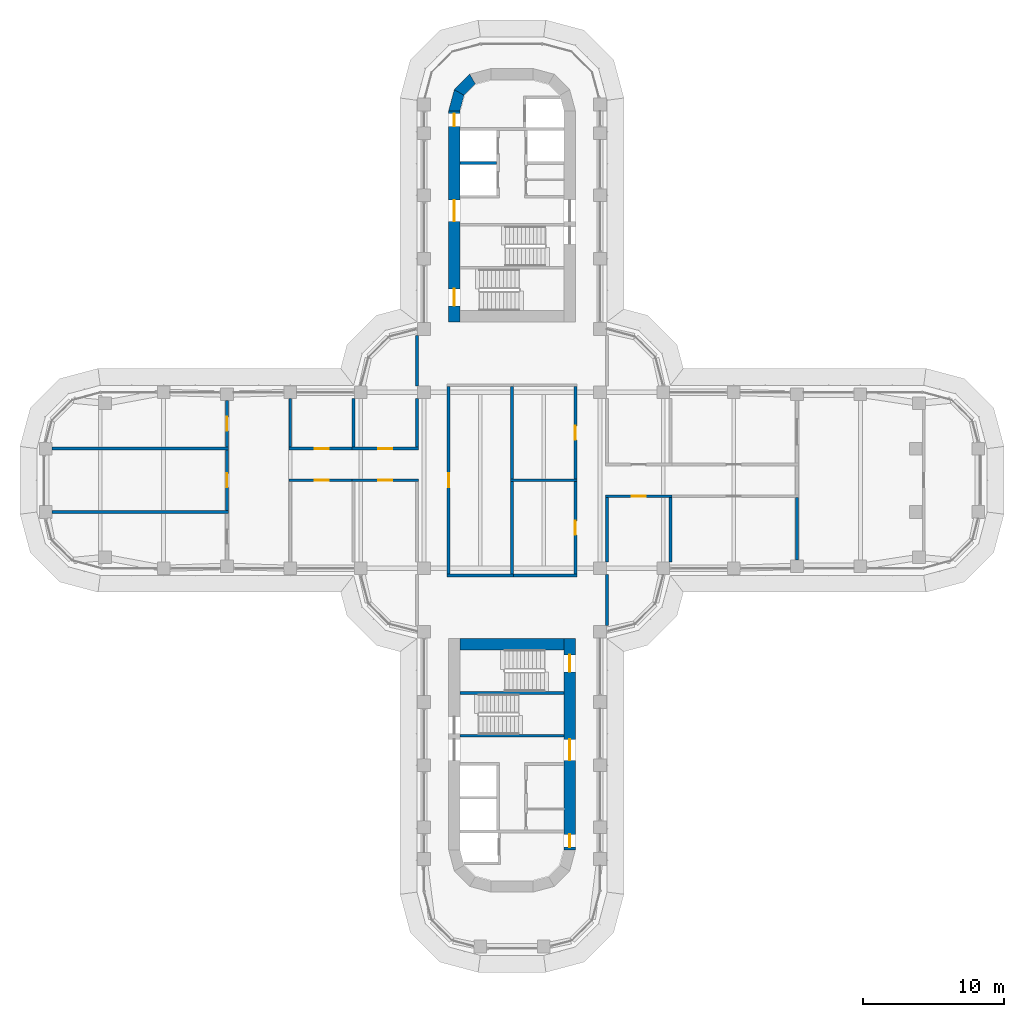
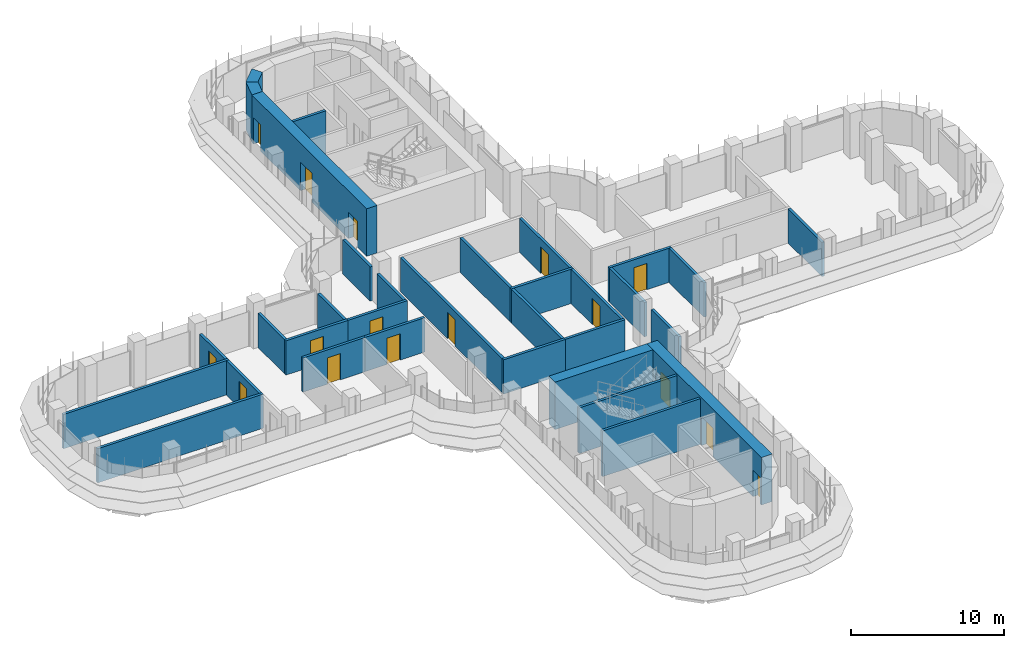
# One storey, part 16 of 22: 33 walls, 16 doors, 16 openings.
"""IFC4 building model written with IfcOpenShell, lengths in metres."""

from ifc_helpers import new_model, si_unit, direction, frame, frame_2d, origin, place, context, subcontext, project, spatial, polyline, rectangle, outline, extrude, material, layer, layer_set, type_object, element, fill, save


model = new_model("IFC4")

# Units and contexts
model_context = context("Model", 3, precision=1e-05, world=origin(), true_north=direction((0.0, 1.0)))
body_context = subcontext(model_context, "Body", "Model", "MODEL_VIEW")
ifc_project = project(units=[si_unit("LENGTHUNIT", "METRE"), si_unit("AREAUNIT", "SQUARE_METRE"), si_unit("VOLUMEUNIT", "CUBIC_METRE"), si_unit("PLANEANGLEUNIT", "RADIAN"), si_unit("MASSUNIT", "GRAM", prefix="KILO")], contexts=[model_context])

# Site, building, storey
site_placement = place(None, origin())
site = spatial("IfcSite", under=ifc_project, at=site_placement, CompositionType="ELEMENT")
building_placement = place(site_placement, origin())
building = spatial("IfcBuilding", under=site, at=building_placement, Name="Zarbagh Exchange Tower", CompositionType="ELEMENT")
storey_placement = place(building_placement, frame((0.0, 0.0, 105.60009765625)))
storey = spatial("IfcBuildingStorey", under=building, at=storey_placement, Name="L24", CompositionType="ELEMENT", Elevation=105.60009765625)

# Wall, opening, door
ifc_material_1 = material(Name="Fire-rated plasterboard partition")
ifc_layer_1 = layer(ifc_material_1, 0.199951171875)
ifc_layer_set_1 = layer_set([ifc_layer_1], Name="RATED PARTITION 200")
wall_type_1 = type_object("IfcWallType", Name="RATED PARTITION 200", PredefinedType="PARTITIONING", material=ifc_layer_set_1)
wall_1_placement = place(storey_placement, frame((-4.5, 6.64990234375, 0.0), z_axis=(0.0, 0.0, 1.0), x_axis=(0.0, -1.0, 0.0)))
wall_1 = element("IfcWall", 1, at=wall_1_placement, inside=storey, type_object=wall_type_1, Name="Partition W-801", PredefinedType="PARTITIONING", context=body_context, shape_type="SweptSolid", body=[
    extrude(rectangle(XDim=13.2998046875, YDim=0.199951171875, at=frame_2d((6.64990234375, 0.0))), origin(), (0.0, 0.0, 1.0), 2.738037109375),
])
opening_1_placement = place(wall_1_placement, frame((6.14990234375, 0.0, 0.0)))
opening_1 = element("IfcOpeningElement", 2, at=opening_1_placement, cuts=wall_1, Name="Opening D-803", PredefinedType="OPENING", context=body_context, shape_type="SweptSolid", body=[
    extrude(rectangle(XDim=1.0, YDim=2.10009765625, at=frame_2d((0.5, 1.050048828125))), frame((0.0, 0.10986328125, 0.0), z_axis=(0.0, -1.0, 0.0), x_axis=(1.0, 0.0, 0.0)), (0.0, 0.0, 1.0), 0.219970703125),
])
ifc_material_2 = material(Name="Steel door set", Category="steel")
door_type_1 = type_object("IfcDoorType", Name="FIRE DOOR 1000 X 2100 FD30S", OperationType="NOTDEFINED", PredefinedType="DOOR", material=ifc_material_2)
door_1_placement = place(opening_1_placement, origin())
door_1 = element("IfcDoor", 3, at=door_1_placement, inside=storey, type_object=door_type_1, Name="Door D-803", OperationType="SINGLE_SWING_RIGHT", OverallHeight=2.10009765625, OverallWidth=1.0, PredefinedType="DOOR", context=body_context, shape_type="SweptSolid", body=[
    extrude(rectangle(XDim=1.0, YDim=2.10009765625, at=frame_2d((0.5, 1.050048828125))), frame((0.0, 0.02490234375, 0.0), z_axis=(0.0, -1.0, 0.0), x_axis=(1.0, 0.0, 0.0)), (0.0, 0.0, 1.0), 0.050048828125),
])
fill(opening_1, door_1)

# Walls
wall_2_placement = place(storey_placement, frame((-6.75, 2.35009765625, 0.0), z_axis=(0.0, 0.0, 1.0), x_axis=(0.0, 1.0, 0.0)))
element("IfcWall", 4, at=wall_2_placement, inside=storey, type_object=wall_type_1, Name="Partition W-802", PredefinedType="PARTITIONING", context=body_context, shape_type="SweptSolid", body=[
    extrude(rectangle(XDim=3.449951171875, YDim=0.199951171875, at=frame_2d((1.72509765625, 0.0))), origin(), (0.0, 0.0, 1.0), 2.738037109375),
])
wall_3_placement = place(storey_placement, frame((-6.75, 6.699951171875, 0.0), z_axis=(0.0, 0.0, 1.0), x_axis=(0.0, 1.0, 0.0)))
element("IfcWall", 5, at=wall_3_placement, inside=storey, type_object=wall_type_1, Name="Partition W-803", PredefinedType="PARTITIONING", context=body_context, shape_type="SweptSolid", body=[
    extrude(rectangle(XDim=3.60009765625, YDim=0.199951171875, at=frame_2d((1.800048828125, 0.0))), origin(), (0.0, 0.0, 1.0), 2.738037109375),
])

# Wall, opening, door
wall_4_placement = place(storey_placement, frame((4.5, 0.10009765625, 0.0), z_axis=(0.0, 0.0, 1.0), x_axis=(0.0, 1.0, 0.0)))
wall_4 = element("IfcWall", 6, at=wall_4_placement, inside=storey, type_object=wall_type_1, Name="Partition W-806", PredefinedType="PARTITIONING", context=body_context, shape_type="SweptSolid", body=[
    extrude(rectangle(XDim=6.5498046875, YDim=0.199951171875, at=frame_2d((3.27490234375, 0.0))), origin(), (0.0, 0.0, 1.0), 2.738037109375),
])
opening_2_placement = place(wall_4_placement, frame((2.77490234375, 0.0, 0.0)))
opening_2 = element("IfcOpeningElement", 7, at=opening_2_placement, cuts=wall_4, Name="Opening D-801", PredefinedType="OPENING", context=body_context, shape_type="SweptSolid", body=[
    extrude(rectangle(XDim=1.0, YDim=2.10009765625, at=frame_2d((0.5, 1.050048828125))), frame((0.0, 0.10986328125, 0.0), z_axis=(0.0, -1.0, 0.0), x_axis=(1.0, 0.0, 0.0)), (0.0, 0.0, 1.0), 0.219970703125),
])
door_2_placement = place(opening_2_placement, origin())
door_2 = element("IfcDoor", 8, at=door_2_placement, inside=storey, type_object=door_type_1, Name="Door D-801", OperationType="SINGLE_SWING_LEFT", OverallHeight=2.10009765625, OverallWidth=1.0, PredefinedType="DOOR", context=body_context, shape_type="SweptSolid", body=[
    extrude(rectangle(XDim=1.0, YDim=2.10009765625, at=frame_2d((0.5, 1.050048828125))), frame((0.0, 0.02490234375, 0.0), z_axis=(0.0, -1.0, 0.0), x_axis=(1.0, 0.0, 0.0)), (0.0, 0.0, 1.0), 0.050048828125),
])
fill(opening_2, door_2)

wall_5_placement = place(storey_placement, frame((4.5, -6.64990234375, 0.0), z_axis=(0.0, 0.0, 1.0), x_axis=(0.0, 1.0, 0.0)))
wall_5 = element("IfcWall", 9, at=wall_5_placement, inside=storey, type_object=wall_type_1, Name="Partition W-807", PredefinedType="PARTITIONING", context=body_context, shape_type="SweptSolid", body=[
    extrude(rectangle(XDim=6.5498046875, YDim=0.199951171875, at=frame_2d((3.27490234375, 0.0))), origin(), (0.0, 0.0, 1.0), 2.738037109375),
])
opening_3_placement = place(wall_5_placement, frame((2.77490234375, 0.0, 0.0)))
opening_3 = element("IfcOpeningElement", 10, at=opening_3_placement, cuts=wall_5, Name="Opening D-802", PredefinedType="OPENING", context=body_context, shape_type="SweptSolid", body=[
    extrude(rectangle(XDim=1.0, YDim=2.10009765625, at=frame_2d((0.5, 1.050048828125))), frame((0.0, 0.10986328125, 0.0), z_axis=(0.0, -1.0, 0.0), x_axis=(1.0, 0.0, 0.0)), (0.0, 0.0, 1.0), 0.219970703125),
])
door_3_placement = place(opening_3_placement, origin())
door_3 = element("IfcDoor", 11, at=door_3_placement, inside=storey, type_object=door_type_1, Name="Door D-802", OperationType="SINGLE_SWING_RIGHT", OverallHeight=2.10009765625, OverallWidth=1.0, PredefinedType="DOOR", context=body_context, shape_type="SweptSolid", body=[
    extrude(rectangle(XDim=1.0, YDim=2.10009765625, at=frame_2d((0.5, 1.050048828125))), frame((0.0, 0.02490234375, 0.0), z_axis=(0.0, -1.0, 0.0), x_axis=(1.0, 0.0, 0.0)), (0.0, 0.0, 1.0), 0.050048828125),
])
fill(opening_3, door_3)

# Walls
wall_6_placement = place(storey_placement, frame((6.75, -10.300048828125, 0.0), z_axis=(0.0, 0.0, 1.0), x_axis=(0.0, 1.0, 0.0)))
element("IfcWall", 12, at=wall_6_placement, inside=storey, type_object=wall_type_1, Name="Partition W-810", PredefinedType="PARTITIONING", context=body_context, shape_type="SweptSolid", body=[
    extrude(rectangle(XDim=3.60009765625, YDim=0.199951171875, at=frame_2d((1.800048828125, 0.0))), origin(), (0.0, 0.0, 1.0), 2.738037109375),
])
wall_7_placement = place(storey_placement, frame((6.75, -5.800048828125, 0.0), z_axis=(0.0, 0.0, 1.0), x_axis=(0.0, 1.0, 0.0)))
element("IfcWall", 13, at=wall_7_placement, inside=storey, type_object=wall_type_1, Name="Partition W-811", PredefinedType="PARTITIONING", context=body_context, shape_type="SweptSolid", body=[
    extrude(rectangle(XDim=4.574951171875, YDim=0.199951171875, at=frame_2d((2.28759765625, 0.0))), origin(), (0.0, 0.0, 1.0), 2.738037109375),
])
for number, where, z_axis, x_axis, name in (
    (14, (-4.60009765625, -6.75, 0.0), (0.0, 0.0, 1.0), (1.0, 0.0, 0.0), "Partition W-814"),
    (15, (-0.10009765625, -6.75, 0.0), (0.0, 0.0, 1.0), (1.0, 0.0, 0.0), "Partition W-815"),
):
    element("IfcWall", number, at=place(storey_placement, frame(where, z_axis=z_axis, x_axis=x_axis)), inside=storey, type_object=wall_type_1, Name=name, PredefinedType="PARTITIONING", context=body_context, shape_type="SweptSolid", body=[
        extrude(rectangle(XDim=4.7001953125, YDim=0.199951171875, at=frame_2d((2.35009765625, 0.0))), origin(), (0.0, 0.0, 1.0), 2.738037109375),
    ])
for number, where, z_axis, x_axis, name in (
    (16, (0.0, 0.10009765625, 0.0), (0.0, 0.0, 1.0), (0.0, 1.0, 0.0), "Partition W-816"),
    (17, (0.0, -6.64990234375, 0.0), (0.0, 0.0, 1.0), (0.0, 1.0, 0.0), "Partition W-817"),
):
    element("IfcWall", number, at=place(storey_placement, frame(where, z_axis=z_axis, x_axis=x_axis)), inside=storey, type_object=wall_type_1, Name=name, PredefinedType="PARTITIONING", context=body_context, shape_type="SweptSolid", body=[
        extrude(rectangle(XDim=6.5498046875, YDim=0.199951171875, at=frame_2d((3.27490234375, 0.0))), origin(), (0.0, 0.0, 1.0), 2.738037109375),
    ])
wall_8_placement = place(storey_placement, frame((-0.10009765625, 0.0, 0.0), z_axis=(0.0, 0.0, 1.0), x_axis=(1.0, 0.0, 0.0)))
element("IfcWall", 18, at=wall_8_placement, inside=storey, type_object=wall_type_1, Name="Partition W-818", PredefinedType="PARTITIONING", context=body_context, shape_type="SweptSolid", body=[
    extrude(rectangle(XDim=4.7001953125, YDim=0.199951171875, at=frame_2d((2.35009765625, 0.0))), origin(), (0.0, 0.0, 1.0), 2.738037109375),
])

# Wall, opening, door
wall_9_placement = place(storey_placement, frame((11.35009765625, -1.125, 0.0), z_axis=(0.0, 0.0, 1.0), x_axis=(-1.0, 0.0, 0.0)))
wall_9 = element("IfcWall", 19, at=wall_9_placement, inside=storey, type_object=wall_type_1, Name="Partition W-820", PredefinedType="PARTITIONING", context=body_context, shape_type="SweptSolid", body=[
    extrude(rectangle(XDim=4.7001953125, YDim=0.199951171875, at=frame_2d((2.35009765625, 0.0))), origin(), (0.0, 0.0, 1.0), 2.738037109375),
])
opening_4_placement = place(wall_9_placement, frame((1.85009765625, 0.0, 0.0)))
opening_4 = element("IfcOpeningElement", 20, at=opening_4_placement, cuts=wall_9, Name="Opening D-808", PredefinedType="OPENING", context=body_context, shape_type="SweptSolid", body=[
    extrude(rectangle(XDim=1.0, YDim=2.10009765625, at=frame_2d((0.5, 1.050048828125))), frame((0.0, 0.10986328125, 0.0), z_axis=(0.0, -1.0, 0.0), x_axis=(1.0, 0.0, 0.0)), (0.0, 0.0, 1.0), 0.219970703125),
])
door_4_placement = place(opening_4_placement, origin())
door_4 = element("IfcDoor", 21, at=door_4_placement, inside=storey, type_object=door_type_1, Name="Door D-808", OperationType="SINGLE_SWING_RIGHT", OverallHeight=2.10009765625, OverallWidth=1.0, PredefinedType="DOOR", context=body_context, shape_type="SweptSolid", body=[
    extrude(rectangle(XDim=1.0, YDim=2.10009765625, at=frame_2d((0.5, 1.050048828125))), frame((0.0, 0.02490234375, 0.0), z_axis=(0.0, -1.0, 0.0), x_axis=(1.0, 0.0, 0.0)), (0.0, 0.0, 1.0), 0.050048828125),
])
fill(opening_4, door_4)

# Walls
wall_10_placement = place(storey_placement, frame((11.25, -5.800048828125, 0.0), z_axis=(0.0, 0.0, 1.0), x_axis=(0.0, 1.0, 0.0)))
element("IfcWall", 22, at=wall_10_placement, inside=storey, type_object=wall_type_1, Name="Partition W-825", PredefinedType="PARTITIONING", context=body_context, shape_type="SweptSolid", body=[
    extrude(rectangle(XDim=4.574951171875, YDim=0.199951171875, at=frame_2d((2.28759765625, 0.0))), origin(), (0.0, 0.0, 1.0), 2.738037109375),
])
wall_11_placement = place(storey_placement, frame((20.25, -5.659912109375, 0.0), z_axis=(0.0, 0.0, 1.0), x_axis=(0.0, 1.0, 0.0)))
element("IfcWall", 23, at=wall_11_placement, inside=storey, type_object=wall_type_1, Name="Partition W-827", PredefinedType="PARTITIONING", context=body_context, shape_type="SweptSolid", body=[
    extrude(rectangle(XDim=4.434814453125, YDim=0.199951171875, at=frame_2d((2.21728515625, 0.0))), origin(), (0.0, 0.0, 1.0), 2.738037109375),
])

# Wall, opening, door
wall_12_placement = place(storey_placement, frame((-11.35009765625, 2.25, 0.0), z_axis=(0.0, 0.0, 1.0), x_axis=(1.0, 0.0, 0.0)))
wall_12 = element("IfcWall", 24, at=wall_12_placement, inside=storey, type_object=wall_type_1, Name="Partition W-829", PredefinedType="PARTITIONING", context=body_context, shape_type="SweptSolid", body=[
    extrude(rectangle(XDim=4.7001953125, YDim=0.199951171875, at=frame_2d((2.35009765625, 0.0))), origin(), (0.0, 0.0, 1.0), 2.738037109375),
])
opening_5_placement = place(wall_12_placement, frame((1.85009765625, 0.0, 0.0)))
opening_5 = element("IfcOpeningElement", 25, at=opening_5_placement, cuts=wall_12, Name="Opening D-810", PredefinedType="OPENING", context=body_context, shape_type="SweptSolid", body=[
    extrude(rectangle(XDim=1.0, YDim=2.10009765625, at=frame_2d((0.5, 1.050048828125))), frame((0.0, 0.10986328125, 0.0), z_axis=(0.0, -1.0, 0.0), x_axis=(1.0, 0.0, 0.0)), (0.0, 0.0, 1.0), 0.219970703125),
])
door_5_placement = place(opening_5_placement, origin())
door_5 = element("IfcDoor", 26, at=door_5_placement, inside=storey, type_object=door_type_1, Name="Door D-810", OperationType="SINGLE_SWING_RIGHT", OverallHeight=2.10009765625, OverallWidth=1.0, PredefinedType="DOOR", context=body_context, shape_type="SweptSolid", body=[
    extrude(rectangle(XDim=1.0, YDim=2.10009765625, at=frame_2d((0.5, 1.050048828125))), frame((0.0, 0.02490234375, 0.0), z_axis=(0.0, -1.0, 0.0), x_axis=(1.0, 0.0, 0.0)), (0.0, 0.0, 1.0), 0.050048828125),
])
fill(opening_5, door_5)

wall_13_placement = place(storey_placement, frame((-6.64990234375, 0.0, 0.0), z_axis=(0.0, 0.0, 1.0), x_axis=(-1.0, 0.0, 0.0)))
wall_13 = element("IfcWall", 27, at=wall_13_placement, inside=storey, type_object=wall_type_1, Name="Partition W-830", PredefinedType="PARTITIONING", context=body_context, shape_type="SweptSolid", body=[
    extrude(rectangle(XDim=4.7001953125, YDim=0.199951171875, at=frame_2d((2.35009765625, 0.0))), origin(), (0.0, 0.0, 1.0), 2.738037109375),
])
opening_6_placement = place(wall_13_placement, frame((1.85009765625, 0.0, 0.0)))
opening_6 = element("IfcOpeningElement", 28, at=opening_6_placement, cuts=wall_13, Name="Opening D-812", PredefinedType="OPENING", context=body_context, shape_type="SweptSolid", body=[
    extrude(rectangle(XDim=1.0, YDim=2.10009765625, at=frame_2d((0.5, 1.050048828125))), frame((0.0, 0.10986328125, 0.0), z_axis=(0.0, -1.0, 0.0), x_axis=(1.0, 0.0, 0.0)), (0.0, 0.0, 1.0), 0.219970703125),
])
door_6_placement = place(opening_6_placement, origin())
door_6 = element("IfcDoor", 29, at=door_6_placement, inside=storey, type_object=door_type_1, Name="Door D-812", OperationType="SINGLE_SWING_RIGHT", OverallHeight=2.10009765625, OverallWidth=1.0, PredefinedType="DOOR", context=body_context, shape_type="SweptSolid", body=[
    extrude(rectangle(XDim=1.0, YDim=2.10009765625, at=frame_2d((0.5, 1.050048828125))), frame((0.0, 0.02490234375, 0.0), z_axis=(0.0, -1.0, 0.0), x_axis=(1.0, 0.0, 0.0)), (0.0, 0.0, 1.0), 0.050048828125),
])
fill(opening_6, door_6)

wall_14_placement = place(storey_placement, frame((-15.85009765625, 2.25, 0.0), z_axis=(0.0, 0.0, 1.0), x_axis=(1.0, 0.0, 0.0)))
wall_14 = element("IfcWall", 30, at=wall_14_placement, inside=storey, type_object=wall_type_1, Name="Partition W-831", PredefinedType="PARTITIONING", context=body_context, shape_type="SweptSolid", body=[
    extrude(rectangle(XDim=4.7001953125, YDim=0.199951171875, at=frame_2d((2.35009765625, 0.0))), origin(), (0.0, 0.0, 1.0), 2.738037109375),
])
opening_7_placement = place(wall_14_placement, frame((1.85009765625, 0.0, 0.0)))
opening_7 = element("IfcOpeningElement", 31, at=opening_7_placement, cuts=wall_14, Name="Opening D-811", PredefinedType="OPENING", context=body_context, shape_type="SweptSolid", body=[
    extrude(rectangle(XDim=1.0, YDim=2.10009765625, at=frame_2d((0.5, 1.050048828125))), frame((0.0, 0.10986328125, 0.0), z_axis=(0.0, -1.0, 0.0), x_axis=(1.0, 0.0, 0.0)), (0.0, 0.0, 1.0), 0.219970703125),
])
door_7_placement = place(opening_7_placement, origin())
door_7 = element("IfcDoor", 32, at=door_7_placement, inside=storey, type_object=door_type_1, Name="Door D-811", OperationType="SINGLE_SWING_RIGHT", OverallHeight=2.10009765625, OverallWidth=1.0, PredefinedType="DOOR", context=body_context, shape_type="SweptSolid", body=[
    extrude(rectangle(XDim=1.0, YDim=2.10009765625, at=frame_2d((0.5, 1.050048828125))), frame((0.0, 0.02490234375, 0.0), z_axis=(0.0, -1.0, 0.0), x_axis=(1.0, 0.0, 0.0)), (0.0, 0.0, 1.0), 0.050048828125),
])
fill(opening_7, door_7)

wall_15_placement = place(storey_placement, frame((-11.14990234375, 0.0, 0.0), z_axis=(0.0, 0.0, 1.0), x_axis=(-1.0, 0.0, 0.0)))
wall_15 = element("IfcWall", 33, at=wall_15_placement, inside=storey, type_object=wall_type_1, Name="Partition W-832", PredefinedType="PARTITIONING", context=body_context, shape_type="SweptSolid", body=[
    extrude(rectangle(XDim=4.7001953125, YDim=0.199951171875, at=frame_2d((2.35009765625, 0.0))), origin(), (0.0, 0.0, 1.0), 2.738037109375),
])
opening_8_placement = place(wall_15_placement, frame((1.85009765625, 0.0, 0.0)))
opening_8 = element("IfcOpeningElement", 34, at=opening_8_placement, cuts=wall_15, Name="Opening D-813", PredefinedType="OPENING", context=body_context, shape_type="SweptSolid", body=[
    extrude(rectangle(XDim=1.0, YDim=2.10009765625, at=frame_2d((0.5, 1.050048828125))), frame((0.0, 0.10986328125, 0.0), z_axis=(0.0, -1.0, 0.0), x_axis=(1.0, 0.0, 0.0)), (0.0, 0.0, 1.0), 0.219970703125),
])
door_8_placement = place(opening_8_placement, origin())
door_8 = element("IfcDoor", 35, at=door_8_placement, inside=storey, type_object=door_type_1, Name="Door D-813", OperationType="SINGLE_SWING_RIGHT", OverallHeight=2.10009765625, OverallWidth=1.0, PredefinedType="DOOR", context=body_context, shape_type="SweptSolid", body=[
    extrude(rectangle(XDim=1.0, YDim=2.10009765625, at=frame_2d((0.5, 1.050048828125))), frame((0.0, 0.02490234375, 0.0), z_axis=(0.0, -1.0, 0.0), x_axis=(1.0, 0.0, 0.0)), (0.0, 0.0, 1.0), 0.050048828125),
])
fill(opening_8, door_8)

# Walls
for number, where, z_axis, x_axis, name in (
    (36, (-11.25, 2.35009765625, 0.0), (0.0, 0.0, 1.0), (0.0, 1.0, 0.0), "Partition W-833"),
    (37, (-15.75, 2.35009765625, 0.0), (0.0, 0.0, 1.0), (0.0, 1.0, 0.0), "Partition W-835"),
):
    element("IfcWall", number, at=place(storey_placement, frame(where, z_axis=z_axis, x_axis=x_axis)), inside=storey, type_object=wall_type_1, Name=name, PredefinedType="PARTITIONING", context=body_context, shape_type="SweptSolid", body=[
        extrude(rectangle(XDim=3.449951171875, YDim=0.199951171875, at=frame_2d((1.72509765625, 0.0))), origin(), (0.0, 0.0, 1.0), 2.738037109375),
    ])

# Wall, opening, door
wall_16_placement = place(storey_placement, frame((-20.25, -2.14990234375, 0.0), z_axis=(0.0, 0.0, 1.0), x_axis=(0.0, 1.0, 0.0)))
wall_16 = element("IfcWall", 38, at=wall_16_placement, inside=storey, type_object=wall_type_1, Name="Partition W-838", PredefinedType="PARTITIONING", context=body_context, shape_type="SweptSolid", body=[
    extrude(rectangle(XDim=4.2998046875, YDim=0.199951171875, at=frame_2d((2.14990234375, 0.0))), origin(), (0.0, 0.0, 1.0), 2.738037109375),
])
opening_9_placement = place(wall_16_placement, frame((1.64990234375, 0.0, 0.0)))
opening_9 = element("IfcOpeningElement", 39, at=opening_9_placement, cuts=wall_16, Name="Opening D-815", PredefinedType="OPENING", context=body_context, shape_type="SweptSolid", body=[
    extrude(rectangle(XDim=1.0, YDim=2.10009765625, at=frame_2d((0.5, 1.050048828125))), frame((0.0, 0.10986328125, 0.0), z_axis=(0.0, -1.0, 0.0), x_axis=(1.0, 0.0, 0.0)), (0.0, 0.0, 1.0), 0.219970703125),
])
door_9_placement = place(opening_9_placement, origin())
door_9 = element("IfcDoor", 40, at=door_9_placement, inside=storey, type_object=door_type_1, Name="Door D-815", OperationType="SINGLE_SWING_RIGHT", OverallHeight=2.10009765625, OverallWidth=1.0, PredefinedType="DOOR", context=body_context, shape_type="SweptSolid", body=[
    extrude(rectangle(XDim=1.0, YDim=2.10009765625, at=frame_2d((0.5, 1.050048828125))), frame((0.0, 0.02490234375, 0.0), z_axis=(0.0, -1.0, 0.0), x_axis=(1.0, 0.0, 0.0)), (0.0, 0.0, 1.0), 0.050048828125),
])
fill(opening_9, door_9)

wall_17_placement = place(storey_placement, frame((-20.25, 2.35009765625, 0.0), z_axis=(0.0, 0.0, 1.0), x_axis=(0.0, 1.0, 0.0)))
wall_17 = element("IfcWall", 41, at=wall_17_placement, inside=storey, type_object=wall_type_1, Name="Partition W-839", PredefinedType="PARTITIONING", context=body_context, shape_type="SweptSolid", body=[
    extrude(rectangle(XDim=3.309814453125, YDim=0.199951171875, at=frame_2d((1.65478515625, 0.0))), origin(), (0.0, 0.0, 1.0), 2.738037109375),
])
opening_10_placement = place(wall_17_placement, frame((1.155029296875, 0.0, 0.0)))
opening_10 = element("IfcOpeningElement", 42, at=opening_10_placement, cuts=wall_17, Name="Opening D-816", PredefinedType="OPENING", context=body_context, shape_type="SweptSolid", body=[
    extrude(rectangle(XDim=1.0, YDim=2.10009765625, at=frame_2d((0.5, 1.050048828125))), frame((0.0, 0.10986328125, 0.0), z_axis=(0.0, -1.0, 0.0), x_axis=(1.0, 0.0, 0.0)), (0.0, 0.0, 1.0), 0.219970703125),
])
door_10_placement = place(opening_10_placement, origin())
door_10 = element("IfcDoor", 43, at=door_10_placement, inside=storey, type_object=door_type_1, Name="Door D-816", OperationType="SINGLE_SWING_LEFT", OverallHeight=2.10009765625, OverallWidth=1.0, PredefinedType="DOOR", context=body_context, shape_type="SweptSolid", body=[
    extrude(rectangle(XDim=1.0, YDim=2.10009765625, at=frame_2d((0.5, 1.050048828125))), frame((0.0, 0.02490234375, 0.0), z_axis=(0.0, -1.0, 0.0), x_axis=(1.0, 0.0, 0.0)), (0.0, 0.0, 1.0), 0.050048828125),
])
fill(opening_10, door_10)

# Walls
for number, where, z_axis, x_axis, name in (
    (44, (-32.659912109375, -2.25, 0.0), (0.0, 0.0, 1.0), (1.0, 0.0, 0.0), "Partition W-840"),
    (45, (-32.659912109375, 2.25, 0.0), (0.0, 0.0, 1.0), (1.0, 0.0, 0.0), "Partition W-841"),
):
    element("IfcWall", number, at=place(storey_placement, frame(where, z_axis=z_axis, x_axis=x_axis)), inside=storey, type_object=wall_type_1, Name=name, PredefinedType="PARTITIONING", context=body_context, shape_type="SweptSolid", body=[
        extrude(rectangle(XDim=12.510009765625, YDim=0.199951171875, at=frame_2d((6.2548828125, 0.0))), origin(), (0.0, 0.0, 1.0), 2.738037109375),
    ])
ifc_material_3 = material(Name="Concrete C60/75", Category="concrete")
ifc_layer_2 = layer(ifc_material_3, 0.800048828125)
ifc_layer_set_2 = layer_set([ifc_layer_2], Name="RC core corner wall 800 C60/75")
wall_type_2 = type_object("IfcWallType", Name="RC core corner wall 800 C60/75", PredefinedType="SHEAR", material=ifc_layer_set_2)
wall_18_placement = place(storey_placement, origin())
element("IfcWall", 46, at=wall_18_placement, inside=storey, type_object=wall_type_2, Name="CW4 core N corner W", PredefinedType="SHEAR", context=body_context, shape_type="SweptSolid", body=[
    extrude(outline(polyline([(-4.5, 26.25), (-4.09814453125, 27.75), (-3.4052734375, 27.35009765625), (-3.699951171875, 26.25), (-4.5, 26.25)])), origin(), (0.0, 0.0, 1.0), 3.7998046875),
])
wall_19_placement = place(storey_placement, origin())
element("IfcWall", 47, at=wall_19_placement, inside=storey, type_object=wall_type_2, Name="CW4 core N corner W", PredefinedType="SHEAR", context=body_context, shape_type="SweptSolid", body=[
    extrude(outline(polyline([(-4.09814453125, 27.75), (-3.0, 28.84814453125), (-2.60009765625, 28.1552734375), (-3.4052734375, 27.35009765625), (-4.09814453125, 27.75)])), origin(), (0.0, 0.0, 1.0), 3.7998046875),
])

# Wall, openings, doors
ifc_layer_3 = layer(ifc_material_3, 0.800048828125)
ifc_layer_set_3 = layer_set([ifc_layer_3], Name="RC core wall 800 C60/75")
wall_type_3 = type_object("IfcWallType", Name="RC core wall 800 C60/75", PredefinedType="SHEAR", material=ifc_layer_set_3)
wall_20_placement = place(storey_placement, frame((-4.10009765625, 11.25, 0.0), z_axis=(0.0, 0.0, 1.0), x_axis=(0.0, 1.0, 0.0)))
wall_20 = element("IfcWall", 48, at=wall_20_placement, inside=storey, type_object=wall_type_3, Name="CW3 core N W", PredefinedType="SHEAR", context=body_context, shape_type="SweptSolid", body=[
    extrude(rectangle(XDim=15.0, YDim=0.800048828125, at=frame_2d((7.5, 0.0))), origin(), (0.0, 0.0, 1.0), 3.7998046875),
])
opening_11_placement = place(wall_20_placement, frame((7.14990234375, 0.0, 0.0)))
opening_11 = element("IfcOpeningElement", 49, at=opening_11_placement, cuts=wall_20, Name="Opening CD1-1500", PredefinedType="OPENING", context=body_context, shape_type="SweptSolid", body=[
    extrude(rectangle(XDim=1.5, YDim=2.300048828125, at=frame_2d((0.75, 1.14990234375))), frame((0.0, 0.409912109375, 0.0), z_axis=(0.0, -1.0, 0.0), x_axis=(1.0, 0.0, 0.0)), (0.0, 0.0, 1.0), 0.820068359375),
])
opening_12_placement = place(wall_20_placement, frame((13.89990234375, 0.0, 0.0)))
opening_12 = element("IfcOpeningElement", 50, at=opening_12_placement, cuts=wall_20, Name="Opening CD2-900", PredefinedType="OPENING", context=body_context, shape_type="SweptSolid", body=[
    extrude(rectangle(XDim=0.89990234375, YDim=2.10009765625, at=frame_2d((0.449951171875, 1.050048828125))), frame((0.0, 0.409912109375, 0.0), z_axis=(0.0, -1.0, 0.0), x_axis=(1.0, 0.0, 0.0)), (0.0, 0.0, 1.0), 0.820068359375),
])
opening_13_placement = place(wall_20_placement, frame((1.14990234375, 0.0, 0.0)))
opening_13 = element("IfcOpeningElement", 51, at=opening_13_placement, cuts=wall_20, Name="Opening SD1-1200", PredefinedType="OPENING", context=body_context, shape_type="SweptSolid", body=[
    extrude(rectangle(XDim=1.199951171875, YDim=2.10009765625, at=frame_2d((0.60009765625, 1.050048828125))), frame((0.0, 0.409912109375, 0.0), z_axis=(0.0, -1.0, 0.0), x_axis=(1.0, 0.0, 0.0)), (0.0, 0.0, 1.0), 0.820068359375),
])
ifc_material_4 = material(Name="Steel", Category="steel")
door_type_2 = type_object("IfcDoorType", Name="Exit stair door 1200 x 2100", OperationType="NOTDEFINED", PredefinedType="DOOR", material=ifc_material_4)
door_11_placement = place(opening_13_placement, origin())
door_11 = element("IfcDoor", 52, at=door_11_placement, inside=storey, type_object=door_type_2, Name="North core stair door ST2", OperationType="SINGLE_SWING_LEFT", OverallHeight=2.10009765625, OverallWidth=1.199951171875, PredefinedType="DOOR", context=body_context, shape_type="SweptSolid", body=[
    extrude(rectangle(XDim=1.199951171875, YDim=2.10009765625, at=frame_2d((0.60009765625, 1.050048828125))), frame((0.0, 0.02490234375, 0.0), z_axis=(0.0, -1.0, 0.0), x_axis=(1.0, 0.0, 0.0)), (0.0, 0.0, 1.0), 0.050048828125),
])
fill(opening_13, door_11)
door_type_3 = type_object("IfcDoorType", Name="Firefighting lobby door 900 x 2100", OperationType="NOTDEFINED", PredefinedType="DOOR", material=ifc_material_4)
door_12_placement = place(opening_12_placement, origin())
door_12 = element("IfcDoor", 53, at=door_12_placement, inside=storey, type_object=door_type_3, Name="North core firefighting lobby door FF-W", OperationType="SINGLE_SWING_RIGHT", OverallHeight=2.10009765625, OverallWidth=0.89990234375, PredefinedType="DOOR", context=body_context, shape_type="SweptSolid", body=[
    extrude(rectangle(XDim=0.89990234375, YDim=2.10009765625, at=frame_2d((0.449951171875, 1.050048828125))), frame((0.0, 0.02490234375, 0.0), z_axis=(0.0, -1.0, 0.0), x_axis=(1.0, 0.0, 0.0)), (0.0, 0.0, 1.0), 0.050048828125),
])
fill(opening_12, door_12)
door_type_4 = type_object("IfcDoorType", Name="Lift lobby double door 1500 x 2300", OperationType="NOTDEFINED", PredefinedType="DOOR", material=ifc_material_4)
door_13_placement = place(opening_11_placement, origin())
door_13 = element("IfcDoor", 54, at=door_13_placement, inside=storey, type_object=door_type_4, Name="North core lift lobby door LOBBY-W", OperationType="DOUBLE_DOOR_SINGLE_SWING", OverallHeight=2.300048828125, OverallWidth=1.5, PredefinedType="DOOR", context=body_context, shape_type="SweptSolid", body=[
    extrude(rectangle(XDim=1.5, YDim=2.300048828125, at=frame_2d((0.75, 1.14990234375))), frame((0.0, 0.02490234375, 0.0), z_axis=(0.0, -1.0, 0.0), x_axis=(1.0, 0.0, 0.0)), (0.0, 0.0, 1.0), 0.050048828125),
])
fill(opening_11, door_13)

wall_21_placement = place(storey_placement, frame((4.10009765625, -11.25, 0.0), z_axis=(0.0, 0.0, 1.0), x_axis=(0.0, -1.0, 0.0)))
wall_21 = element("IfcWall", 55, at=wall_21_placement, inside=storey, type_object=wall_type_3, Name="CW3 core S E", PredefinedType="SHEAR", context=body_context, shape_type="SweptSolid", body=[
    extrude(rectangle(XDim=15.0, YDim=0.800048828125, at=frame_2d((7.5, 0.0))), origin(), (0.0, 0.0, 1.0), 3.7998046875),
])
opening_14_placement = place(wall_21_placement, frame((7.14990234375, 0.0, 0.0)))
opening_14 = element("IfcOpeningElement", 56, at=opening_14_placement, cuts=wall_21, Name="Opening CD1-1500", PredefinedType="OPENING", context=body_context, shape_type="SweptSolid", body=[
    extrude(rectangle(XDim=1.5, YDim=2.300048828125, at=frame_2d((0.75, 1.14990234375))), frame((0.0, 0.409912109375, 0.0), z_axis=(0.0, -1.0, 0.0), x_axis=(1.0, 0.0, 0.0)), (0.0, 0.0, 1.0), 0.820068359375),
])
opening_15_placement = place(wall_21_placement, frame((13.89990234375, 0.0, 0.0)))
opening_15 = element("IfcOpeningElement", 57, at=opening_15_placement, cuts=wall_21, Name="Opening CD2-900", PredefinedType="OPENING", context=body_context, shape_type="SweptSolid", body=[
    extrude(rectangle(XDim=0.89990234375, YDim=2.10009765625, at=frame_2d((0.449951171875, 1.050048828125))), frame((0.0, 0.409912109375, 0.0), z_axis=(0.0, -1.0, 0.0), x_axis=(1.0, 0.0, 0.0)), (0.0, 0.0, 1.0), 0.820068359375),
])
opening_16_placement = place(wall_21_placement, frame((1.14990234375, 0.0, 0.0)))
opening_16 = element("IfcOpeningElement", 58, at=opening_16_placement, cuts=wall_21, Name="Opening SD1-1200", PredefinedType="OPENING", context=body_context, shape_type="SweptSolid", body=[
    extrude(rectangle(XDim=1.199951171875, YDim=2.10009765625, at=frame_2d((0.60009765625, 1.050048828125))), frame((0.0, 0.409912109375, 0.0), z_axis=(0.0, -1.0, 0.0), x_axis=(1.0, 0.0, 0.0)), (0.0, 0.0, 1.0), 0.820068359375),
])
door_14_placement = place(opening_16_placement, origin())
door_14 = element("IfcDoor", 59, at=door_14_placement, inside=storey, type_object=door_type_2, Name="South core stair door ST2", OperationType="SINGLE_SWING_RIGHT", OverallHeight=2.10009765625, OverallWidth=1.199951171875, PredefinedType="DOOR", context=body_context, shape_type="SweptSolid", body=[
    extrude(rectangle(XDim=1.199951171875, YDim=2.10009765625, at=frame_2d((0.60009765625, 1.050048828125))), frame((0.0, 0.02490234375, 0.0), z_axis=(0.0, -1.0, 0.0), x_axis=(1.0, 0.0, 0.0)), (0.0, 0.0, 1.0), 0.050048828125),
])
fill(opening_16, door_14)
door_15_placement = place(opening_15_placement, origin())
door_15 = element("IfcDoor", 60, at=door_15_placement, inside=storey, type_object=door_type_3, Name="South core firefighting lobby door FF-W", OperationType="SINGLE_SWING_LEFT", OverallHeight=2.10009765625, OverallWidth=0.89990234375, PredefinedType="DOOR", context=body_context, shape_type="SweptSolid", body=[
    extrude(rectangle(XDim=0.89990234375, YDim=2.10009765625, at=frame_2d((0.449951171875, 1.050048828125))), frame((0.0, 0.02490234375, 0.0), z_axis=(0.0, -1.0, 0.0), x_axis=(1.0, 0.0, 0.0)), (0.0, 0.0, 1.0), 0.050048828125),
])
fill(opening_15, door_15)
door_16_placement = place(opening_14_placement, origin())
door_16 = element("IfcDoor", 61, at=door_16_placement, inside=storey, type_object=door_type_4, Name="South core lift lobby door LOBBY-W", OperationType="DOUBLE_DOOR_SINGLE_SWING", OverallHeight=2.300048828125, OverallWidth=1.5, PredefinedType="DOOR", context=body_context, shape_type="SweptSolid", body=[
    extrude(rectangle(XDim=1.5, YDim=2.300048828125, at=frame_2d((0.75, 1.14990234375))), frame((0.0, 0.02490234375, 0.0), z_axis=(0.0, -1.0, 0.0), x_axis=(1.0, 0.0, 0.0)), (0.0, 0.0, 1.0), 0.050048828125),
])
fill(opening_14, door_16)

# Walls
wall_22_placement = place(storey_placement, frame((-3.699951171875, -11.64990234375, 0.0), z_axis=(0.0, 0.0, 1.0), x_axis=(1.0, 0.0, 0.0)))
element("IfcWall", 62, at=wall_22_placement, inside=storey, type_object=wall_type_3, Name="CW3 core S inner end", PredefinedType="SHEAR", context=body_context, shape_type="SweptSolid", body=[
    extrude(rectangle(XDim=7.39990234375, YDim=0.800048828125, at=frame_2d((3.699951171875, 0.0))), origin(), (0.0, 0.0, 1.0), 3.7998046875),
])
ifc_material_5 = material(Name="Dense blockwork", Category="masonry")
ifc_layer_4 = layer(ifc_material_5, 0.199951171875)
ifc_layer_set_4 = layer_set([ifc_layer_4], Name="Shaft wall 200 mm blockwork")
wall_type_4 = type_object("IfcWallType", Name="Shaft wall 200 mm blockwork", PredefinedType="PARTITIONING", material=ifc_layer_set_4)
wall_23_placement = place(storey_placement, frame((-3.699951171875, 22.550048828125, 0.0), z_axis=(0.0, 0.0, 1.0), x_axis=(1.0, 0.0, 0.0)))
element("IfcWall", 63, at=wall_23_placement, inside=storey, type_object=wall_type_4, Name="North core shaft wall TR-W", PredefinedType="PARTITIONING", context=body_context, shape_type="SweptSolid", body=[
    extrude(rectangle(XDim=2.599853515625, YDim=0.199951171875, at=frame_2d((1.2998046875, 0.0))), origin(), (0.0, 0.0, 1.0), 3.64990234375),
])
ifc_material_6 = material(Name="Concrete C40/50", Category="concrete")
ifc_layer_5 = layer(ifc_material_6, 0.199951171875)
ifc_layer_set_5 = layer_set([ifc_layer_5], Name="Stair enclosure wall 200 mm RC C40/50")
wall_type_5 = type_object("IfcWallType", Name="Stair enclosure wall 200 mm RC C40/50", PredefinedType="SHEAR", material=ifc_layer_set_5)
for number, where, z_axis, x_axis, name in (
    (64, (3.699951171875, -18.14990234375, 0.0), (0.0, 0.0, 1.0), (-1.0, 0.0, 0.0), "South core stair wall BS"),
    (65, (3.699951171875, -15.10009765625, 0.0), (0.0, 0.0, 1.0), (-1.0, 0.0, 0.0), "South core stair wall ST12"),
):
    element("IfcWall", number, at=place(storey_placement, frame(where, z_axis=z_axis, x_axis=x_axis)), inside=storey, type_object=wall_type_5, Name=name, PredefinedType="SHEAR", context=body_context, shape_type="SweptSolid", body=[
        extrude(rectangle(XDim=7.39990234375, YDim=0.199951171875, at=frame_2d((3.699951171875, 0.0))), origin(), (0.0, 0.0, 1.0), 3.64990234375),
    ])

save(model, "model.ifc")
